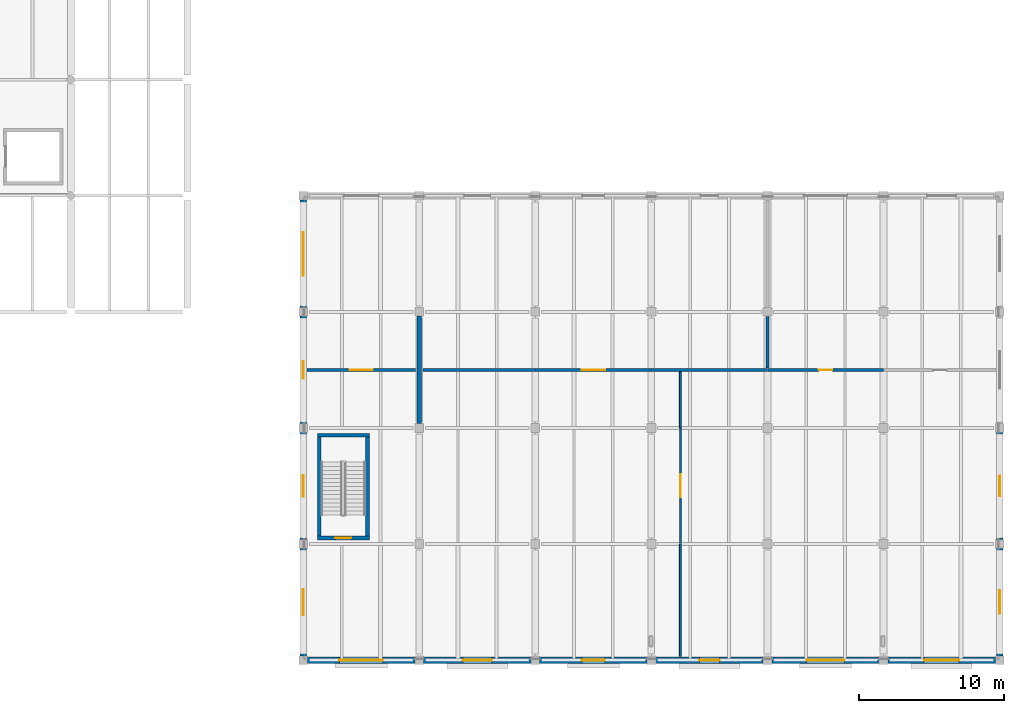
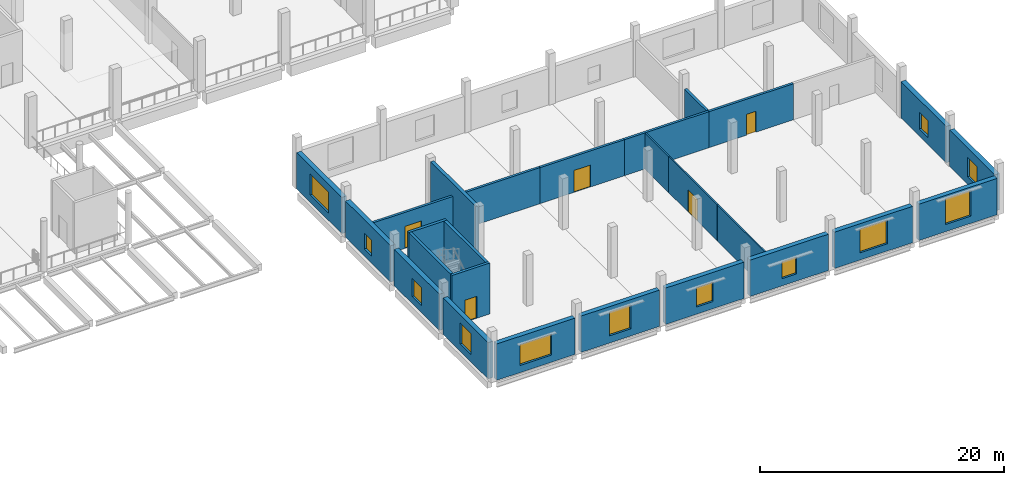
# One storey, part 38 of 61: 26 walls, 12 windows, 5 doors, 17 openings.
"""IFC4 building model written with IfcOpenShell, lengths in metres."""

from ifc_helpers import new_model, si_unit, direction, frame, frame_2d, origin, place, context, subcontext, project, spatial, rectangle, extrude, material, layer, layer_set, type_object, element, fill, save


model = new_model("IFC4")

# Units and contexts
model_context = context("Model", 3, precision=1e-05, world=origin(), true_north=direction((0.0, 1.0)))
body_context = subcontext(model_context, "Body", "Model", "MODEL_VIEW")
ifc_project = project(units=[si_unit("LENGTHUNIT", "METRE"), si_unit("AREAUNIT", "SQUARE_METRE"), si_unit("VOLUMEUNIT", "CUBIC_METRE"), si_unit("PLANEANGLEUNIT", "RADIAN"), si_unit("MASSUNIT", "GRAM", prefix="KILO")], contexts=[model_context])

# Site, building, storey
site_placement = place(None, origin())
site = spatial("IfcSite", under=ifc_project, at=site_placement, CompositionType="ELEMENT")
building_placement = place(site_placement, origin())
building = spatial("IfcBuilding", under=site, at=building_placement, Name="Pecanmere Concourse Central Library", CompositionType="ELEMENT")
storey_placement = place(building_placement, frame((0.0, 0.0, 5.39990234375)))
storey = spatial("IfcBuildingStorey", under=building, at=storey_placement, Name="L02", CompositionType="ELEMENT", Elevation=5.39990234375)

# Wall, opening, window
ifc_material_1 = material(Name="Texas cream limestone ashlar masonry", Category="masonry")
ifc_layer_1 = layer(ifc_material_1, 0.43994140625, Name="EW_LIME_440")
ifc_layer_set_1 = layer_set([ifc_layer_1], Name="Texas cream limestone ashlar masonry")
wall_type_1 = type_object("IfcWallType", Name="EW_LIME_440", PredefinedType="STANDARD", material=ifc_layer_set_1)
wall_1_placement = place(storey_placement, frame((128.294921875, 0.0, 0.0), z_axis=(0.0, 0.0, 1.0), x_axis=(1.0, 0.0, 0.0)))
wall_1 = element("IfcWall", 1, at=wall_1_placement, inside=storey, type_object=wall_type_1, Name="Limestone Facade Wall L02-0070", PredefinedType="STANDARD", context=body_context, shape_type="SweptSolid", body=[
    extrude(rectangle(XDim=7.41015625, YDim=0.43994140625, at=frame_2d((3.705078125, 0.0))), origin(), (0.0, 0.0, 1.0), 3.64013671875),
])
opening_1_placement = place(wall_1_placement, frame((2.205078125, 0.0, 0.719970703125)))
opening_1 = element("IfcOpeningElement", 2, at=opening_1_placement, cuts=wall_1, Name="Opening WN-17", PredefinedType="OPENING", context=body_context, shape_type="SweptSolid", body=[
    extrude(rectangle(XDim=3.0, YDim=2.10009765625, at=frame_2d((1.5, 1.050048828125))), frame((0.0, 0.23193359375, 0.0), z_axis=(0.0, -1.0, 0.0), x_axis=(1.0, 0.0, 0.0)), (0.0, 0.0, 1.0), 0.4638671875),
])
ifc_material_2 = material(Name="Low-iron clear insulated glazing", Category="glass")
window_type_1 = type_object("IfcWindowType", Name="WIN_3000x2100", PartitioningType="SINGLE_PANEL", PredefinedType="WINDOW", material=ifc_material_2)
window_1_placement = place(opening_1_placement, origin())
window_1 = element("IfcWindow", 3, at=window_1_placement, inside=storey, type_object=window_type_1, Name="WN-055", OverallHeight=2.10009765625, OverallWidth=3.0, PartitioningType="SINGLE_PANEL", PredefinedType="WINDOW", context=body_context, shape_type="SweptSolid", body=[
    extrude(rectangle(XDim=3.0, YDim=2.10009765625, at=frame_2d((1.5, 1.050048828125))), frame((0.0, 0.030029296875, 0.0), z_axis=(0.0, -1.0, 0.0), x_axis=(1.0, 0.0, 0.0)), (0.0, 0.0, 1.0), 0.06005859375),
])
fill(opening_1, window_1)

wall_2_placement = place(storey_placement, frame((136.294921875, 0.0, 0.0), z_axis=(0.0, 0.0, 1.0), x_axis=(1.0, 0.0, 0.0)))
wall_2 = element("IfcWall", 4, at=wall_2_placement, inside=storey, type_object=wall_type_1, Name="Limestone Facade Wall L02-0072", PredefinedType="STANDARD", context=body_context, shape_type="SweptSolid", body=[
    extrude(rectangle(XDim=7.41015625, YDim=0.43994140625, at=frame_2d((3.705078125, 0.0))), origin(), (0.0, 0.0, 1.0), 3.64013671875),
])
opening_2_placement = place(wall_2_placement, frame((2.705078125, 0.0, 0.719970703125)))
opening_2 = element("IfcOpeningElement", 5, at=opening_2_placement, cuts=wall_2, Name="Opening WN-03", PredefinedType="OPENING", context=body_context, shape_type="SweptSolid", body=[
    extrude(rectangle(XDim=2.0, YDim=2.39990234375, at=frame_2d((1.0, 1.199951171875))), frame((0.0, 0.23193359375, 0.0), z_axis=(0.0, -1.0, 0.0), x_axis=(1.0, 0.0, 0.0)), (0.0, 0.0, 1.0), 0.4638671875),
])
ifc_material_3 = material(Name="Low-iron clear insulated glazing", Category="glass")
window_type_2 = type_object("IfcWindowType", Name="WIN_2000x2400", PartitioningType="SINGLE_PANEL", PredefinedType="WINDOW", material=ifc_material_3)
window_2_placement = place(opening_2_placement, origin())
window_2 = element("IfcWindow", 6, at=window_2_placement, inside=storey, type_object=window_type_2, Name="WN-057", OverallHeight=2.39990234375, OverallWidth=2.0, PartitioningType="SINGLE_PANEL", PredefinedType="WINDOW", context=body_context, shape_type="SweptSolid", body=[
    extrude(rectangle(XDim=2.0, YDim=2.39990234375, at=frame_2d((1.0, 1.199951171875))), frame((0.0, 0.030029296875, 0.0), z_axis=(0.0, -1.0, 0.0), x_axis=(1.0, 0.0, 0.0)), (0.0, 0.0, 1.0), 0.06005859375),
])
fill(opening_2, window_2)

wall_3_placement = place(storey_placement, frame((144.294921875, 0.0, 0.0), z_axis=(0.0, 0.0, 1.0), x_axis=(1.0, 0.0, 0.0)))
wall_3 = element("IfcWall", 7, at=wall_3_placement, inside=storey, type_object=wall_type_1, Name="Limestone Facade Wall L02-0074", PredefinedType="STANDARD", context=body_context, shape_type="SweptSolid", body=[
    extrude(rectangle(XDim=7.41015625, YDim=0.43994140625, at=frame_2d((3.705078125, 0.0))), origin(), (0.0, 0.0, 1.0), 3.64013671875),
])
opening_3_placement = place(wall_3_placement, frame((2.905029296875, 0.0, 0.719970703125)))
opening_3 = element("IfcOpeningElement", 8, at=opening_3_placement, cuts=wall_3, Name="Opening WN-07", PredefinedType="OPENING", context=body_context, shape_type="SweptSolid", body=[
    extrude(rectangle(XDim=1.60009765625, YDim=1.949951171875, at=frame_2d((0.800048828125, 0.97509765625))), frame((0.0, 0.23193359375, 0.0), z_axis=(0.0, -1.0, 0.0), x_axis=(1.0, 0.0, 0.0)), (0.0, 0.0, 1.0), 0.4638671875),
])
ifc_material_4 = material(Name="Low-iron clear insulated glazing", Category="glass")
window_type_3 = type_object("IfcWindowType", Name="WIN_1600x1950", PartitioningType="SINGLE_PANEL", PredefinedType="WINDOW", material=ifc_material_4)
window_3_placement = place(opening_3_placement, origin())
window_3 = element("IfcWindow", 9, at=window_3_placement, inside=storey, type_object=window_type_3, Name="WN-059", OverallHeight=1.949951171875, OverallWidth=1.60009765625, PartitioningType="SINGLE_PANEL", PredefinedType="WINDOW", context=body_context, shape_type="SweptSolid", body=[
    extrude(rectangle(XDim=1.60009765625, YDim=1.949951171875, at=frame_2d((0.800048828125, 0.97509765625))), frame((0.0, 0.030029296875, 0.0), z_axis=(0.0, -1.0, 0.0), x_axis=(1.0, 0.0, 0.0)), (0.0, 0.0, 1.0), 0.06005859375),
])
fill(opening_3, window_3)

wall_4_placement = place(storey_placement, frame((152.294921875, 0.0, 0.0), z_axis=(0.0, 0.0, 1.0), x_axis=(1.0, 0.0, 0.0)))
wall_4 = element("IfcWall", 10, at=wall_4_placement, inside=storey, type_object=wall_type_1, Name="Limestone Facade Wall L02-0076", PredefinedType="STANDARD", context=body_context, shape_type="SweptSolid", body=[
    extrude(rectangle(XDim=7.41015625, YDim=0.43994140625, at=frame_2d((3.705078125, 0.0))), origin(), (0.0, 0.0, 1.0), 3.64013671875),
])
opening_4_placement = place(wall_4_placement, frame((3.0048828125, 0.0, 0.719970703125)))
opening_4 = element("IfcOpeningElement", 11, at=opening_4_placement, cuts=wall_4, Name="Opening WN-11", PredefinedType="OPENING", context=body_context, shape_type="SweptSolid", body=[
    extrude(rectangle(XDim=1.39990234375, YDim=1.699951171875, at=frame_2d((0.699951171875, 0.85009765625))), frame((0.0, 0.23193359375, 0.0), z_axis=(0.0, -1.0, 0.0), x_axis=(1.0, 0.0, 0.0)), (0.0, 0.0, 1.0), 0.4638671875),
])
ifc_material_5 = material(Name="Low-iron clear insulated glazing", Category="glass")
window_type_4 = type_object("IfcWindowType", Name="WIN_1400x1700", PartitioningType="SINGLE_PANEL", PredefinedType="WINDOW", material=ifc_material_5)
window_4_placement = place(opening_4_placement, origin())
window_4 = element("IfcWindow", 12, at=window_4_placement, inside=storey, type_object=window_type_4, Name="WN-061", OverallHeight=1.699951171875, OverallWidth=1.39990234375, PartitioningType="SINGLE_PANEL", PredefinedType="WINDOW", context=body_context, shape_type="SweptSolid", body=[
    extrude(rectangle(XDim=1.39990234375, YDim=1.699951171875, at=frame_2d((0.699951171875, 0.85009765625))), frame((0.0, 0.030029296875, 0.0), z_axis=(0.0, -1.0, 0.0), x_axis=(1.0, 0.0, 0.0)), (0.0, 0.0, 1.0), 0.06005859375),
])
fill(opening_4, window_4)

wall_5_placement = place(storey_placement, frame((160.294921875, 0.0, 0.0), z_axis=(0.0, 0.0, 1.0), x_axis=(1.0, 0.0, 0.0)))
wall_5 = element("IfcWall", 13, at=wall_5_placement, inside=storey, type_object=wall_type_1, Name="Limestone Facade Wall L02-0078", PredefinedType="STANDARD", context=body_context, shape_type="SweptSolid", body=[
    extrude(rectangle(XDim=7.41015625, YDim=0.43994140625, at=frame_2d((3.705078125, 0.0))), origin(), (0.0, 0.0, 1.0), 3.64013671875),
])
opening_5_placement = place(wall_5_placement, frame((2.405029296875, 0.0, 0.719970703125)))
opening_5 = element("IfcOpeningElement", 14, at=opening_5_placement, cuts=wall_5, Name="Opening WN-15", PredefinedType="OPENING", context=body_context, shape_type="SweptSolid", body=[
    extrude(rectangle(XDim=2.60009765625, YDim=2.39990234375, at=frame_2d((1.300048828125, 1.199951171875))), frame((0.0, 0.23193359375, 0.0), z_axis=(0.0, -1.0, 0.0), x_axis=(1.0, 0.0, 0.0)), (0.0, 0.0, 1.0), 0.4638671875),
])
ifc_material_6 = material(Name="Low-iron clear insulated glazing", Category="glass")
window_type_5 = type_object("IfcWindowType", Name="WIN_2600x2400", PartitioningType="SINGLE_PANEL", PredefinedType="WINDOW", material=ifc_material_6)
window_5_placement = place(opening_5_placement, origin())
window_5 = element("IfcWindow", 15, at=window_5_placement, inside=storey, type_object=window_type_5, Name="WN-063", OverallHeight=2.39990234375, OverallWidth=2.60009765625, PartitioningType="SINGLE_PANEL", PredefinedType="WINDOW", context=body_context, shape_type="SweptSolid", body=[
    extrude(rectangle(XDim=2.60009765625, YDim=2.39990234375, at=frame_2d((1.300048828125, 1.199951171875))), frame((0.0, 0.030029296875, 0.0), z_axis=(0.0, -1.0, 0.0), x_axis=(1.0, 0.0, 0.0)), (0.0, 0.0, 1.0), 0.06005859375),
])
fill(opening_5, window_5)

wall_6_placement = place(storey_placement, frame((168.294921875, 0.0, 0.0), z_axis=(0.0, 0.0, 1.0), x_axis=(1.0, 0.0, 0.0)))
wall_6 = element("IfcWall", 16, at=wall_6_placement, inside=storey, type_object=wall_type_1, Name="Limestone Facade Wall L02-0080", PredefinedType="STANDARD", context=body_context, shape_type="SweptSolid", body=[
    extrude(rectangle(XDim=7.41015625, YDim=0.43994140625, at=frame_2d((3.705078125, 0.0))), origin(), (0.0, 0.0, 1.0), 3.64013671875),
])
opening_6_placement = place(wall_6_placement, frame((2.5048828125, 0.0, 0.719970703125)))
opening_6 = element("IfcOpeningElement", 17, at=opening_6_placement, cuts=wall_6, Name="Opening WN-01", PredefinedType="OPENING", context=body_context, shape_type="SweptSolid", body=[
    extrude(rectangle(XDim=2.39990234375, YDim=2.60009765625, at=frame_2d((1.199951171875, 1.300048828125))), frame((0.0, 0.23193359375, 0.0), z_axis=(0.0, -1.0, 0.0), x_axis=(1.0, 0.0, 0.0)), (0.0, 0.0, 1.0), 0.4638671875),
])
ifc_material_7 = material(Name="Low-iron clear insulated glazing", Category="glass")
window_type_6 = type_object("IfcWindowType", Name="WIN_2400x2600", PartitioningType="SINGLE_PANEL", PredefinedType="WINDOW", material=ifc_material_7)
window_6_placement = place(opening_6_placement, origin())
window_6 = element("IfcWindow", 18, at=window_6_placement, inside=storey, type_object=window_type_6, Name="WN-065", OverallHeight=2.60009765625, OverallWidth=2.39990234375, PartitioningType="SINGLE_PANEL", PredefinedType="WINDOW", context=body_context, shape_type="SweptSolid", body=[
    extrude(rectangle(XDim=2.39990234375, YDim=2.60009765625, at=frame_2d((1.199951171875, 1.300048828125))), frame((0.0, 0.030029296875, 0.0), z_axis=(0.0, -1.0, 0.0), x_axis=(1.0, 0.0, 0.0)), (0.0, 0.0, 1.0), 0.06005859375),
])
fill(opening_6, window_6)

wall_7_placement = place(storey_placement, frame((128.0, 7.705078125, 0.0), z_axis=(0.0, 0.0, 1.0), x_axis=(0.0, -1.0, 0.0)))
wall_7 = element("IfcWall", 19, at=wall_7_placement, inside=storey, type_object=wall_type_1, Name="Limestone Facade Wall L02-0082", PredefinedType="STANDARD", context=body_context, shape_type="SweptSolid", body=[
    extrude(rectangle(XDim=7.41015625, YDim=0.43994140625, at=frame_2d((3.705078125, 0.0))), origin(), (0.0, 0.0, 1.0), 3.64013671875),
])
opening_7_placement = place(wall_7_placement, frame((2.804931640625, 0.0, 0.719970703125)))
opening_7 = element("IfcOpeningElement", 20, at=opening_7_placement, cuts=wall_7, Name="Opening WN-05", PredefinedType="OPENING", context=body_context, shape_type="SweptSolid", body=[
    extrude(rectangle(XDim=1.800048828125, YDim=2.10009765625, at=frame_2d((0.89990234375, 1.050048828125))), frame((0.0, 0.23193359375, 0.0), z_axis=(0.0, -1.0, 0.0), x_axis=(1.0, 0.0, 0.0)), (0.0, 0.0, 1.0), 0.4638671875),
])
ifc_material_8 = material(Name="Low-iron clear insulated glazing", Category="glass")
window_type_7 = type_object("IfcWindowType", Name="WIN_1800x2100", PartitioningType="SINGLE_PANEL", PredefinedType="WINDOW", material=ifc_material_8)
window_7_placement = place(opening_7_placement, origin())
window_7 = element("IfcWindow", 21, at=window_7_placement, inside=storey, type_object=window_type_7, Name="WN-067", OverallHeight=2.10009765625, OverallWidth=1.800048828125, PartitioningType="SINGLE_PANEL", PredefinedType="WINDOW", context=body_context, shape_type="SweptSolid", body=[
    extrude(rectangle(XDim=1.800048828125, YDim=2.10009765625, at=frame_2d((0.89990234375, 1.050048828125))), frame((0.0, 0.030029296875, 0.0), z_axis=(0.0, -1.0, 0.0), x_axis=(1.0, 0.0, 0.0)), (0.0, 0.0, 1.0), 0.06005859375),
])
fill(opening_7, window_7)

wall_8_placement = place(storey_placement, frame((176.0, 0.294921875, 0.0), z_axis=(0.0, 0.0, 1.0), x_axis=(0.0, 1.0, 0.0)))
wall_8 = element("IfcWall", 22, at=wall_8_placement, inside=storey, type_object=wall_type_1, Name="Limestone Facade Wall L02-0083", PredefinedType="STANDARD", context=body_context, shape_type="SweptSolid", body=[
    extrude(rectangle(XDim=7.41015625, YDim=0.43994140625, at=frame_2d((3.705078125, 0.0))), origin(), (0.0, 0.0, 1.0), 3.64013671875),
])
opening_8_placement = place(wall_8_placement, frame((2.905029296875, 0.0, 0.719970703125)))
opening_8 = element("IfcOpeningElement", 23, at=opening_8_placement, cuts=wall_8, Name="Opening WN-07", PredefinedType="OPENING", context=body_context, shape_type="SweptSolid", body=[
    extrude(rectangle(XDim=1.60009765625, YDim=1.949951171875, at=frame_2d((0.800048828125, 0.97509765625))), frame((0.0, 0.23193359375, 0.0), z_axis=(0.0, -1.0, 0.0), x_axis=(1.0, 0.0, 0.0)), (0.0, 0.0, 1.0), 0.4638671875),
])
window_8_placement = place(opening_8_placement, origin())
window_8 = element("IfcWindow", 24, at=window_8_placement, inside=storey, type_object=window_type_3, Name="WN-068", OverallHeight=1.949951171875, OverallWidth=1.60009765625, PartitioningType="SINGLE_PANEL", PredefinedType="WINDOW", context=body_context, shape_type="SweptSolid", body=[
    extrude(rectangle(XDim=1.60009765625, YDim=1.949951171875, at=frame_2d((0.800048828125, 0.97509765625))), frame((0.0, 0.030029296875, 0.0), z_axis=(0.0, -1.0, 0.0), x_axis=(1.0, 0.0, 0.0)), (0.0, 0.0, 1.0), 0.06005859375),
])
fill(opening_8, window_8)

wall_9_placement = place(storey_placement, frame((128.0, 15.705078125, 0.0), z_axis=(0.0, 0.0, 1.0), x_axis=(0.0, -1.0, 0.0)))
wall_9 = element("IfcWall", 25, at=wall_9_placement, inside=storey, type_object=wall_type_1, Name="Limestone Facade Wall L02-0084", PredefinedType="STANDARD", context=body_context, shape_type="SweptSolid", body=[
    extrude(rectangle(XDim=7.41015625, YDim=0.43994140625, at=frame_2d((3.705078125, 0.0))), origin(), (0.0, 0.0, 1.0), 3.64013671875),
])
opening_9_placement = place(wall_9_placement, frame((2.955078125, 0.0, 0.719970703125)))
opening_9 = element("IfcOpeningElement", 26, at=opening_9_placement, cuts=wall_9, Name="Opening WN-09", PredefinedType="OPENING", context=body_context, shape_type="SweptSolid", body=[
    extrude(rectangle(XDim=1.5, YDim=1.800048828125, at=frame_2d((0.75, 0.89990234375))), frame((0.0, 0.23193359375, 0.0), z_axis=(0.0, -1.0, 0.0), x_axis=(1.0, 0.0, 0.0)), (0.0, 0.0, 1.0), 0.4638671875),
])
ifc_material_9 = material(Name="Low-iron clear insulated glazing", Category="glass")
window_type_8 = type_object("IfcWindowType", Name="WIN_1500x1800", PartitioningType="SINGLE_PANEL", PredefinedType="WINDOW", material=ifc_material_9)
window_9_placement = place(opening_9_placement, origin())
window_9 = element("IfcWindow", 27, at=window_9_placement, inside=storey, type_object=window_type_8, Name="WN-069", OverallHeight=1.800048828125, OverallWidth=1.5, PartitioningType="SINGLE_PANEL", PredefinedType="WINDOW", context=body_context, shape_type="SweptSolid", body=[
    extrude(rectangle(XDim=1.5, YDim=1.800048828125, at=frame_2d((0.75, 0.89990234375))), frame((0.0, 0.030029296875, 0.0), z_axis=(0.0, -1.0, 0.0), x_axis=(1.0, 0.0, 0.0)), (0.0, 0.0, 1.0), 0.06005859375),
])
fill(opening_9, window_9)

wall_10_placement = place(storey_placement, frame((176.0, 8.294921875, 0.0), z_axis=(0.0, 0.0, 1.0), x_axis=(0.0, 1.0, 0.0)))
wall_10 = element("IfcWall", 28, at=wall_10_placement, inside=storey, type_object=wall_type_1, Name="Limestone Facade Wall L02-0085", PredefinedType="STANDARD", context=body_context, shape_type="SweptSolid", body=[
    extrude(rectangle(XDim=7.41015625, YDim=0.43994140625, at=frame_2d((3.705078125, 0.0))), origin(), (0.0, 0.0, 1.0), 3.64013671875),
])
opening_10_placement = place(wall_10_placement, frame((3.0048828125, 0.0, 0.719970703125)))
opening_10 = element("IfcOpeningElement", 29, at=opening_10_placement, cuts=wall_10, Name="Opening WN-11", PredefinedType="OPENING", context=body_context, shape_type="SweptSolid", body=[
    extrude(rectangle(XDim=1.39990234375, YDim=1.699951171875, at=frame_2d((0.699951171875, 0.85009765625))), frame((0.0, 0.23193359375, 0.0), z_axis=(0.0, -1.0, 0.0), x_axis=(1.0, 0.0, 0.0)), (0.0, 0.0, 1.0), 0.4638671875),
])
window_10_placement = place(opening_10_placement, origin())
window_10 = element("IfcWindow", 30, at=window_10_placement, inside=storey, type_object=window_type_4, Name="WN-070", OverallHeight=1.699951171875, OverallWidth=1.39990234375, PartitioningType="SINGLE_PANEL", PredefinedType="WINDOW", context=body_context, shape_type="SweptSolid", body=[
    extrude(rectangle(XDim=1.39990234375, YDim=1.699951171875, at=frame_2d((0.699951171875, 0.85009765625))), frame((0.0, 0.030029296875, 0.0), z_axis=(0.0, -1.0, 0.0), x_axis=(1.0, 0.0, 0.0)), (0.0, 0.0, 1.0), 0.06005859375),
])
fill(opening_10, window_10)

wall_11_placement = place(storey_placement, frame((128.0, 23.705078125, 0.0), z_axis=(0.0, 0.0, 1.0), x_axis=(0.0, -1.0, 0.0)))
wall_11 = element("IfcWall", 31, at=wall_11_placement, inside=storey, type_object=wall_type_1, Name="Limestone Facade Wall L02-0086", PredefinedType="STANDARD", context=body_context, shape_type="SweptSolid", body=[
    extrude(rectangle(XDim=7.41015625, YDim=0.43994140625, at=frame_2d((3.705078125, 0.0))), origin(), (0.0, 0.0, 1.0), 3.64013671875),
])
opening_11_placement = place(wall_11_placement, frame((3.10498046875, 0.0, 0.719970703125)))
opening_11 = element("IfcOpeningElement", 32, at=opening_11_placement, cuts=wall_11, Name="Opening WN-13", PredefinedType="OPENING", context=body_context, shape_type="SweptSolid", body=[
    extrude(rectangle(XDim=1.199951171875, YDim=1.60009765625, at=frame_2d((0.60009765625, 0.800048828125))), frame((0.0, 0.23193359375, 0.0), z_axis=(0.0, -1.0, 0.0), x_axis=(1.0, 0.0, 0.0)), (0.0, 0.0, 1.0), 0.4638671875),
])
ifc_material_10 = material(Name="Low-iron clear insulated glazing", Category="glass")
window_type_9 = type_object("IfcWindowType", Name="WIN_1200x1600", PartitioningType="SINGLE_PANEL", PredefinedType="WINDOW", material=ifc_material_10)
window_11_placement = place(opening_11_placement, origin())
window_11 = element("IfcWindow", 33, at=window_11_placement, inside=storey, type_object=window_type_9, Name="WN-071", OverallHeight=1.60009765625, OverallWidth=1.199951171875, PartitioningType="SINGLE_PANEL", PredefinedType="WINDOW", context=body_context, shape_type="SweptSolid", body=[
    extrude(rectangle(XDim=1.199951171875, YDim=1.60009765625, at=frame_2d((0.60009765625, 0.800048828125))), frame((0.0, 0.030029296875, 0.0), z_axis=(0.0, -1.0, 0.0), x_axis=(1.0, 0.0, 0.0)), (0.0, 0.0, 1.0), 0.06005859375),
])
fill(opening_11, window_11)

wall_12_placement = place(storey_placement, frame((128.0, 31.705078125, 0.0), z_axis=(0.0, 0.0, 1.0), x_axis=(0.0, -1.0, 0.0)))
wall_12 = element("IfcWall", 34, at=wall_12_placement, inside=storey, type_object=wall_type_1, Name="Limestone Facade Wall L02-0088", PredefinedType="STANDARD", context=body_context, shape_type="SweptSolid", body=[
    extrude(rectangle(XDim=7.41015625, YDim=0.43994140625, at=frame_2d((3.705078125, 0.0))), origin(), (0.0, 0.0, 1.0), 3.64013671875),
])
opening_12_placement = place(wall_12_placement, frame((2.205078125, 0.0, 0.719970703125)))
opening_12 = element("IfcOpeningElement", 35, at=opening_12_placement, cuts=wall_12, Name="Opening WN-17", PredefinedType="OPENING", context=body_context, shape_type="SweptSolid", body=[
    extrude(rectangle(XDim=3.0, YDim=2.10009765625, at=frame_2d((1.5, 1.050048828125))), frame((0.0, 0.23193359375, 0.0), z_axis=(0.0, -1.0, 0.0), x_axis=(1.0, 0.0, 0.0)), (0.0, 0.0, 1.0), 0.4638671875),
])
window_12_placement = place(opening_12_placement, origin())
window_12 = element("IfcWindow", 36, at=window_12_placement, inside=storey, type_object=window_type_1, Name="WN-073", OverallHeight=2.10009765625, OverallWidth=3.0, PartitioningType="SINGLE_PANEL", PredefinedType="WINDOW", context=body_context, shape_type="SweptSolid", body=[
    extrude(rectangle(XDim=3.0, YDim=2.10009765625, at=frame_2d((1.5, 1.050048828125))), frame((0.0, 0.030029296875, 0.0), z_axis=(0.0, -1.0, 0.0), x_axis=(1.0, 0.0, 0.0)), (0.0, 0.0, 1.0), 0.06005859375),
])
fill(opening_12, window_12)

# Wall
ifc_material_11 = material(Name="Fire-rated gypsum board on acoustic steel stud", Category="steel")
ifc_layer_2 = layer(ifc_material_11, 0.135009765625, Name="IW_PART_135")
ifc_layer_set_2 = layer_set([ifc_layer_2], Name="Fire-rated gypsum board on acoustic steel stud")
wall_type_2 = type_object("IfcWallType", Name="IW_PART_135", PredefinedType="PARTITIONING", material=ifc_layer_set_2)
wall_13_placement = place(storey_placement, frame((154.0, 0.25, 0.0), z_axis=(0.0, 0.0, 1.0), x_axis=(0.0, 1.0, 0.0)))
element("IfcWall", 37, at=wall_13_placement, inside=storey, type_object=wall_type_2, Name="Interior Partition L02-0156", PredefinedType="PARTITIONING", context=body_context, shape_type="SweptSolid", body=[
    extrude(rectangle(XDim=7.75, YDim=0.135009765625, at=frame_2d((3.875, 0.0))), origin(), (0.0, 0.0, 1.0), 3.610107421875),
])

# Wall, opening, door
wall_14_placement = place(storey_placement, frame((154.0, 8.02001953125, 0.0), z_axis=(0.0, 0.0, 1.0), x_axis=(0.0, 1.0, 0.0)))
wall_14 = element("IfcWall", 38, at=wall_14_placement, inside=storey, type_object=wall_type_2, Name="Interior Partition L02-0157", PredefinedType="PARTITIONING", context=body_context, shape_type="SweptSolid", body=[
    extrude(rectangle(XDim=7.97998046875, YDim=0.135009765625, at=frame_2d((3.989990234375, 0.0))), origin(), (0.0, 0.0, 1.0), 3.610107421875),
])
opening_13_placement = place(wall_14_placement, frame((3.18994140625, 0.0, 0.0)))
opening_13 = element("IfcOpeningElement", 39, at=opening_13_placement, cuts=wall_14, Name="Opening DT-02", PredefinedType="OPENING", context=body_context, shape_type="SweptSolid", body=[
    extrude(rectangle(XDim=1.60009765625, YDim=2.199951171875, at=frame_2d((0.800048828125, 1.10009765625))), frame((0.0, 0.07958984375, 0.0), z_axis=(0.0, -1.0, 0.0), x_axis=(1.0, 0.0, 0.0)), (0.0, 0.0, 1.0), 0.158935546875),
])
ifc_material_12 = material(Name="Solid white oak architectural joinery")
door_type_1 = type_object("IfcDoorType", Name="DT-02", OperationType="DOUBLE_DOOR_SINGLE_SWING", PredefinedType="DOOR", material=ifc_material_12)
door_1_placement = place(opening_13_placement, origin())
door_1 = element("IfcDoor", 40, at=door_1_placement, inside=storey, type_object=door_type_1, Name="D-198", OperationType="DOUBLE_DOOR_SINGLE_SWING", OverallHeight=2.199951171875, OverallWidth=1.60009765625, PredefinedType="DOOR", context=body_context, shape_type="SweptSolid", body=[
    extrude(rectangle(XDim=1.60009765625, YDim=2.199951171875, at=frame_2d((0.800048828125, 1.10009765625))), frame((0.0, 0.02490234375, 0.0), z_axis=(0.0, -1.0, 0.0), x_axis=(1.0, 0.0, 0.0)), (0.0, 0.0, 1.0), 0.050048828125),
])
fill(opening_13, door_1)

# Wall
wall_15_placement = place(storey_placement, frame((154.0, 16.02001953125, 0.0), z_axis=(0.0, 0.0, 1.0), x_axis=(0.0, 1.0, 0.0)))
element("IfcWall", 41, at=wall_15_placement, inside=storey, type_object=wall_type_2, Name="Interior Partition L02-0158", PredefinedType="PARTITIONING", context=body_context, shape_type="SweptSolid", body=[
    extrude(rectangle(XDim=3.840087890625, YDim=0.135009765625, at=frame_2d((1.919921875, 0.0))), origin(), (0.0, 0.0, 1.0), 3.610107421875),
])

# Wall, opening, door
ifc_material_13 = material(Name="Concrete masonry unit ASTM C90", Category="masonry")
ifc_layer_3 = layer(ifc_material_13, 0.22509765625, Name="IW_PLUMB_225")
ifc_layer_set_3 = layer_set([ifc_layer_3], Name="Concrete masonry unit ASTM C90")
wall_type_3 = type_object("IfcWallType", Name="IW_PLUMB_225", PredefinedType="PARTITIONING", material=ifc_layer_set_3)
wall_16_placement = place(storey_placement, frame((128.25, 20.0, 0.0), z_axis=(0.0, 0.0, 1.0), x_axis=(1.0, 0.0, 0.0)))
wall_16 = element("IfcWall", 42, at=wall_16_placement, inside=storey, type_object=wall_type_3, Name="Interior Partition L02-0148", PredefinedType="PARTITIONING", context=body_context, shape_type="SweptSolid", body=[
    extrude(rectangle(XDim=7.5, YDim=0.22509765625, at=frame_2d((3.75, 0.0))), origin(), (0.0, 0.0, 1.0), 3.610107421875),
])
opening_14_placement = place(wall_16_placement, frame((2.949951171875, 0.0, 0.0)))
opening_14 = element("IfcOpeningElement", 43, at=opening_14_placement, cuts=wall_16, Name="Opening DT-02", PredefinedType="OPENING", context=body_context, shape_type="SweptSolid", body=[
    extrude(rectangle(XDim=1.60009765625, YDim=2.199951171875, at=frame_2d((0.800048828125, 1.10009765625))), frame((0.0, 0.12451171875, 0.0), z_axis=(0.0, -1.0, 0.0), x_axis=(1.0, 0.0, 0.0)), (0.0, 0.0, 1.0), 0.2490234375),
])
door_2_placement = place(opening_14_placement, origin())
door_2 = element("IfcDoor", 44, at=door_2_placement, inside=storey, type_object=door_type_1, Name="D-194", OperationType="DOUBLE_DOOR_SINGLE_SWING", OverallHeight=2.199951171875, OverallWidth=1.60009765625, PredefinedType="DOOR", context=body_context, shape_type="SweptSolid", body=[
    extrude(rectangle(XDim=1.60009765625, YDim=2.199951171875, at=frame_2d((0.800048828125, 1.10009765625))), frame((0.0, 0.02490234375, 0.0), z_axis=(0.0, -1.0, 0.0), x_axis=(1.0, 0.0, 0.0)), (0.0, 0.0, 1.0), 0.050048828125),
])
fill(opening_14, door_2)

# Wall
wall_17_placement = place(storey_placement, frame((136.25, 20.0, 0.0), z_axis=(0.0, 0.0, 1.0), x_axis=(1.0, 0.0, 0.0)))
element("IfcWall", 45, at=wall_17_placement, inside=storey, type_object=wall_type_3, Name="Interior Partition L02-0149", PredefinedType="PARTITIONING", context=body_context, shape_type="SweptSolid", body=[
    extrude(rectangle(XDim=7.75, YDim=0.22509765625, at=frame_2d((3.875, 0.0))), origin(), (0.0, 0.0, 1.0), 3.610107421875),
])

# Wall, opening, door
wall_18_placement = place(storey_placement, frame((144.02001953125, 20.0, 0.0), z_axis=(0.0, 0.0, 1.0), x_axis=(1.0, 0.0, 0.0)))
wall_18 = element("IfcWall", 46, at=wall_18_placement, inside=storey, type_object=wall_type_3, Name="Interior Partition L02-0150", PredefinedType="PARTITIONING", context=body_context, shape_type="SweptSolid", body=[
    extrude(rectangle(XDim=7.97998046875, YDim=0.22509765625, at=frame_2d((3.989990234375, 0.0))), origin(), (0.0, 0.0, 1.0), 3.610107421875),
])
opening_15_placement = place(wall_18_placement, frame((3.18994140625, 0.0, 0.0)))
opening_15 = element("IfcOpeningElement", 47, at=opening_15_placement, cuts=wall_18, Name="Opening DT-02", PredefinedType="OPENING", context=body_context, shape_type="SweptSolid", body=[
    extrude(rectangle(XDim=1.60009765625, YDim=2.199951171875, at=frame_2d((0.800048828125, 1.10009765625))), frame((0.0, 0.12451171875, 0.0), z_axis=(0.0, -1.0, 0.0), x_axis=(1.0, 0.0, 0.0)), (0.0, 0.0, 1.0), 0.2490234375),
])
door_3_placement = place(opening_15_placement, frame((1.60009765625, 0.0, 0.0), z_axis=(0.0, 0.0, 1.0), x_axis=(-1.0, 0.0, 0.0)))
door_3 = element("IfcDoor", 48, at=door_3_placement, inside=storey, type_object=door_type_1, Name="D-195", OperationType="DOUBLE_DOOR_SINGLE_SWING", OverallHeight=2.199951171875, OverallWidth=1.60009765625, PredefinedType="DOOR", context=body_context, shape_type="SweptSolid", body=[
    extrude(rectangle(XDim=1.60009765625, YDim=2.199951171875, at=frame_2d((0.800048828125, 1.10009765625))), frame((0.0, 0.02490234375, 0.0), z_axis=(0.0, -1.0, 0.0), x_axis=(1.0, 0.0, 0.0)), (0.0, 0.0, 1.0), 0.050048828125),
])
fill(opening_15, door_3)

# Wall
wall_19_placement = place(storey_placement, frame((152.02001953125, 20.0, 0.0), z_axis=(0.0, 0.0, 1.0), x_axis=(1.0, 0.0, 0.0)))
element("IfcWall", 49, at=wall_19_placement, inside=storey, type_object=wall_type_3, Name="Interior Partition L02-0151", PredefinedType="PARTITIONING", context=body_context, shape_type="SweptSolid", body=[
    extrude(rectangle(XDim=7.97998046875, YDim=0.22509765625, at=frame_2d((3.989990234375, 0.0))), origin(), (0.0, 0.0, 1.0), 3.610107421875),
])

# Wall, opening, door
wall_20_placement = place(storey_placement, frame((160.02001953125, 20.0, 0.0), z_axis=(0.0, 0.0, 1.0), x_axis=(1.0, 0.0, 0.0)))
wall_20 = element("IfcWall", 50, at=wall_20_placement, inside=storey, type_object=wall_type_3, Name="Interior Partition L02-0152", PredefinedType="PARTITIONING", context=body_context, shape_type="SweptSolid", body=[
    extrude(rectangle(XDim=7.97998046875, YDim=0.22509765625, at=frame_2d((3.989990234375, 0.0))), origin(), (0.0, 0.0, 1.0), 3.610107421875),
])
opening_16_placement = place(wall_20_placement, frame((3.530029296875, 0.0, 0.0)))
opening_16 = element("IfcOpeningElement", 51, at=opening_16_placement, cuts=wall_20, Name="Opening DT-07", PredefinedType="OPENING", context=body_context, shape_type="SweptSolid", body=[
    extrude(rectangle(XDim=0.919921875, YDim=2.10009765625, at=frame_2d((0.4599609375, 1.050048828125))), frame((0.0, 0.12451171875, 0.0), z_axis=(0.0, -1.0, 0.0), x_axis=(1.0, 0.0, 0.0)), (0.0, 0.0, 1.0), 0.2490234375),
])
ifc_material_14 = material(Name="Solid white oak architectural joinery")
door_type_2 = type_object("IfcDoorType", Name="DT-07", OperationType="SINGLE_SWING_LEFT", PredefinedType="DOOR", material=ifc_material_14)
door_4_placement = place(opening_16_placement, origin())
door_4 = element("IfcDoor", 52, at=door_4_placement, inside=storey, type_object=door_type_2, Name="D-196", OperationType="SINGLE_SWING_LEFT", OverallHeight=2.10009765625, OverallWidth=0.919921875, PredefinedType="DOOR", context=body_context, shape_type="SweptSolid", body=[
    extrude(rectangle(XDim=0.919921875, YDim=2.10009765625, at=frame_2d((0.4599609375, 1.050048828125))), frame((0.0, 0.02490234375, 0.0), z_axis=(0.0, -1.0, 0.0), x_axis=(1.0, 0.0, 0.0)), (0.0, 0.0, 1.0), 0.050048828125),
])
fill(opening_16, door_4)

# Walls
wall_21_placement = place(storey_placement, frame((160.0, 20.139892578125, 0.0), z_axis=(0.0, 0.0, 1.0), x_axis=(0.0, 1.0, 0.0)))
element("IfcWall", 53, at=wall_21_placement, inside=storey, type_object=wall_type_3, Name="Interior Partition L02-0154", PredefinedType="PARTITIONING", context=body_context, shape_type="SweptSolid", body=[
    extrude(rectangle(XDim=3.550048828125, YDim=0.22509765625, at=frame_2d((1.77490234375, 0.0))), origin(), (0.0, 0.0, 1.0), 3.610107421875),
])
ifc_material_15 = material(Name="Concrete C40/50", Category="concrete")
ifc_layer_4 = layer(ifc_material_15, 0.320068359375, Name="WALL_SHR_320")
ifc_layer_set_4 = layer_set([ifc_layer_4], Name="Concrete C40/50")
wall_type_4 = type_object("IfcWallType", Name="WALL_SHR_320", PredefinedType="SHEAR", material=ifc_layer_set_4)
wall_22_placement = place(storey_placement, frame((136.0, 16.300048828125, 0.0), z_axis=(0.0, 0.0, 1.0), x_axis=(0.0, 1.0, 0.0)))
element("IfcWall", 54, at=wall_22_placement, inside=storey, type_object=wall_type_4, Name="Lateral Shear Wall L02-037", PredefinedType="SHEAR", context=body_context, shape_type="SweptSolid", body=[
    extrude(rectangle(XDim=7.39990234375, YDim=0.320068359375, at=frame_2d((3.699951171875, 0.0))), origin(), (0.0, 0.0, 1.0), 4.760009765625),
])

# Wall, opening, door
ifc_material_16 = material(Name="Concrete C40/50", Category="concrete")
ifc_layer_5 = layer(ifc_material_16, 0.260009765625, Name="WALL_SLD_260")
ifc_layer_set_5 = layer_set([ifc_layer_5], Name="Concrete C40/50")
wall_type_5 = type_object("IfcWallType", Name="WALL_SLD_260", PredefinedType="SOLIDWALL", material=ifc_layer_set_5)
wall_23_placement = place(storey_placement, frame((128.97998046875, 8.419921875, 0.0), z_axis=(0.0, 0.0, 1.0), x_axis=(1.0, 0.0, 0.0)))
wall_23 = element("IfcWall", 55, at=wall_23_placement, inside=storey, type_object=wall_type_5, Name="Core C8 South Wall L02", PredefinedType="SOLIDWALL", context=body_context, shape_type="SweptSolid", body=[
    extrude(rectangle(XDim=3.580078125, YDim=0.260009765625, at=frame_2d((1.7900390625, 0.0))), origin(), (0.0, 0.0, 1.0), 5.10009765625),
])
opening_17_placement = place(wall_23_placement, frame((1.239990234375, 0.0, 0.0)))
opening_17 = element("IfcOpeningElement", 56, at=opening_17_placement, cuts=wall_23, Name="Opening FD-01", PredefinedType="OPENING", context=body_context, shape_type="SweptSolid", body=[
    extrude(rectangle(XDim=1.10009765625, YDim=2.199951171875, at=frame_2d((0.550048828125, 1.10009765625))), frame((0.0, 0.14208984375, 0.0), z_axis=(0.0, -1.0, 0.0), x_axis=(1.0, 0.0, 0.0)), (0.0, 0.0, 1.0), 0.283935546875),
])
ifc_material_17 = material(Name="Painted architectural steel ASTM A36", Category="steel")
door_type_3 = type_object("IfcDoorType", Name="FD-01", OperationType="SINGLE_SWING_LEFT", PredefinedType="DOOR", material=ifc_material_17)
door_5_placement = place(opening_17_placement, origin())
door_5 = element("IfcDoor", 57, at=door_5_placement, inside=storey, type_object=door_type_3, Name="D-051", OperationType="SINGLE_SWING_LEFT", OverallHeight=2.199951171875, OverallWidth=1.10009765625, PredefinedType="DOOR", context=body_context, shape_type="SweptSolid", body=[
    extrude(rectangle(XDim=1.10009765625, YDim=2.199951171875, at=frame_2d((0.550048828125, 1.10009765625))), frame((0.0, 0.02490234375, 0.0), z_axis=(0.0, -1.0, 0.0), x_axis=(1.0, 0.0, 0.0)), (0.0, 0.0, 1.0), 0.050048828125),
])
fill(opening_17, door_5)

# Walls
wall_24_placement = place(storey_placement, frame((128.97998046875, 15.5, 0.0), z_axis=(0.0, 0.0, 1.0), x_axis=(1.0, 0.0, 0.0)))
element("IfcWall", 58, at=wall_24_placement, inside=storey, type_object=wall_type_5, Name="Core C8 North Wall L02", PredefinedType="SOLIDWALL", context=body_context, shape_type="SweptSolid", body=[
    extrude(rectangle(XDim=3.580078125, YDim=0.260009765625, at=frame_2d((1.7900390625, 0.0))), origin(), (0.0, 0.0, 1.0), 5.10009765625),
])
for number, where, z_axis, x_axis, name in (
    (59, (129.110107421875, 8.550048828125, 0.0), (0.0, 0.0, 1.0), (0.0, 1.0, 0.0), "Core C8 W Wall L02"),
    (60, (132.429931640625, 8.550048828125, 0.0), (0.0, 0.0, 1.0), (0.0, 1.0, 0.0), "Core C8 E Wall L02"),
):
    element("IfcWall", number, at=place(storey_placement, frame(where, z_axis=z_axis, x_axis=x_axis)), inside=storey, type_object=wall_type_5, Name=name, PredefinedType="SOLIDWALL", context=body_context, shape_type="SweptSolid", body=[
        extrude(rectangle(XDim=6.820068359375, YDim=0.260009765625, at=frame_2d((3.41015625, 0.0))), origin(), (0.0, 0.0, 1.0), 5.10009765625),
    ])

save(model, "model.ifc")
